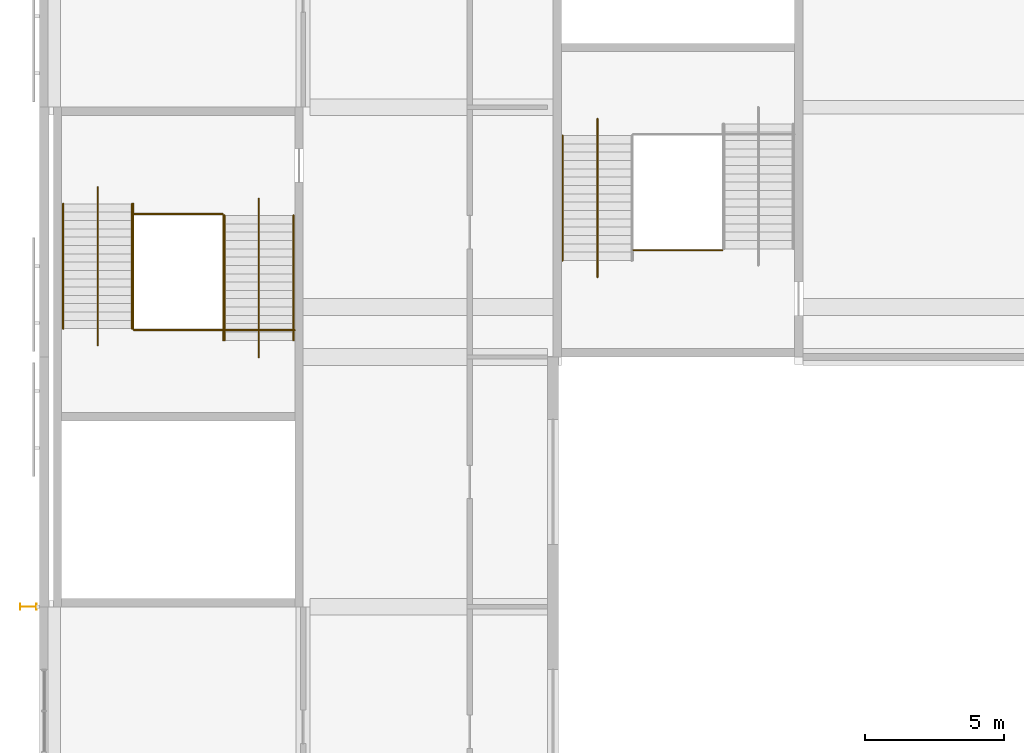
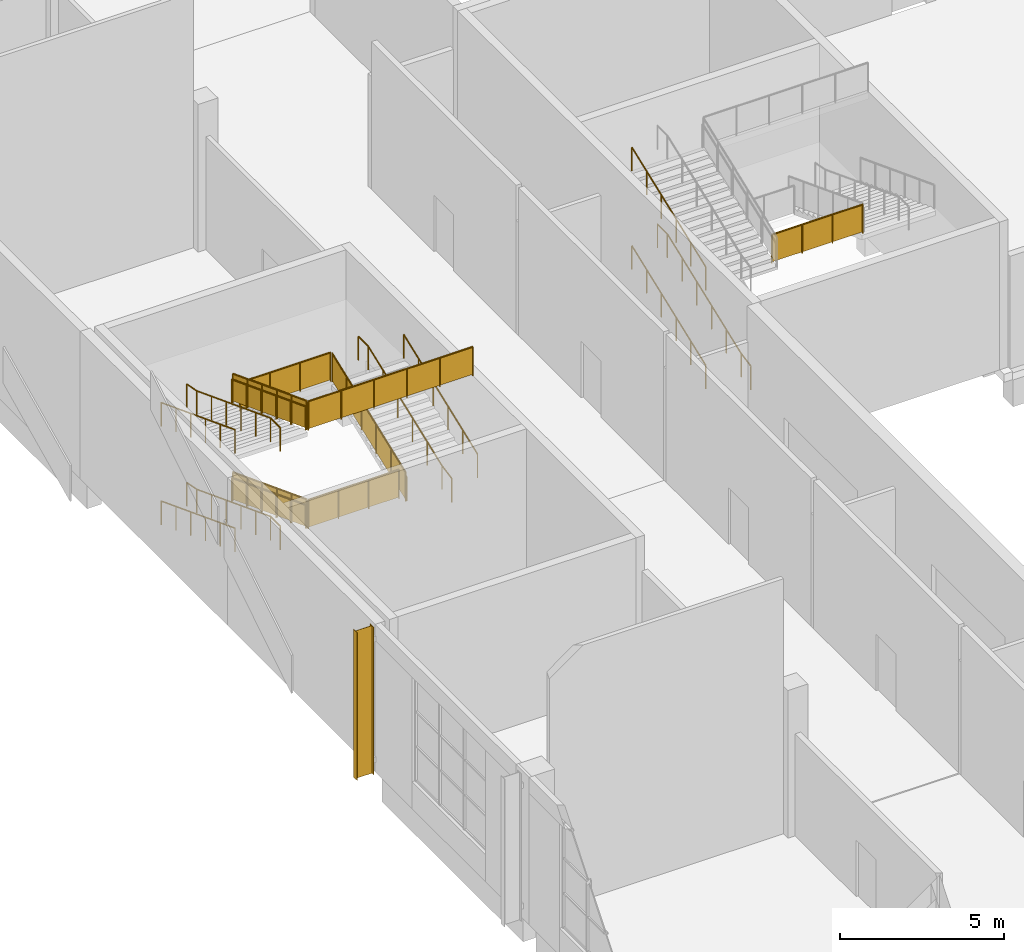
# One storey, part 69 of 84: 19 railings, 1 shading device.
"""IFC4 building model written with IfcOpenShell, lengths in metres."""

from ifc_helpers import new_model, si_unit, direction, frame, origin, origin_2d, place, context, subcontext, project, spatial, polyline, circle, i_section, outline, extrude, material, material_profile, profile_set, type_object, element, save


model = new_model("IFC4")

# Units and contexts
model_context = context("Model", 3, precision=1e-05, world=origin(), true_north=direction((0.0, 1.0)))
body_context = subcontext(model_context, "Body", "Model", "MODEL_VIEW")
ifc_project = project(units=[si_unit("LENGTHUNIT", "METRE"), si_unit("AREAUNIT", "SQUARE_METRE"), si_unit("VOLUMEUNIT", "CUBIC_METRE"), si_unit("PLANEANGLEUNIT", "RADIAN"), si_unit("MASSUNIT", "GRAM", prefix="KILO")], contexts=[model_context])

# Site, building, storey
site_placement = place(None, origin())
site = spatial("IfcSite", under=ifc_project, at=site_placement, CompositionType="ELEMENT")
building_placement = place(site_placement, origin())
building = spatial("IfcBuilding", under=site, at=building_placement, Name="Silverbay Arena", CompositionType="ELEMENT")
storey_placement = place(building_placement, frame((0.0, 0.0, 28.0)))
storey = spatial("IfcBuildingStorey", under=building, at=storey_placement, Name="L04", CompositionType="ELEMENT", Elevation=28.0)

# Railings
ifc_material_1 = material(Name="Stainless steel", Category="steel")
railing_type_1 = type_object("IfcRailingType", Name="Stair guard 1100", PredefinedType="GUARDRAIL", material=ifc_material_1)
railing_1_placement = place(storey_placement, frame((56.875, 104.5205078125, 0.114501953125)))
element("IfcRailing", 1, at=railing_1_placement, inside=storey, type_object=railing_type_1, Name="Stair ST-W2 L04 to L05 flight 1 guard left", PredefinedType="GUARDRAIL", context=body_context, shape_type="SweptSolid", body=[
    extrude(circle(Radius=0.02392578125, at=origin_2d()), frame((0.0, 0.0, 1.076171875), z_axis=(0.0, -0.93417907455, 0.356804507641), x_axis=(1.0, 0.0, 0.0)), (0.0, 0.0, 1.0), 4.817138671875),
    extrude(outline(polyline([(-0.008056640625, 0.046875), (0.907958984375, 0.396728515625), (0.907958984375, 1.39990234375), (-0.008056640625, 1.050048828125), (-0.008056640625, 0.046875)])), frame((0.0029296875, 0.0, 0.0), z_axis=(-1.0, 0.0, 0.0), x_axis=(0.0, -1.0, 0.0)), (0.0, 0.0, 1.0), 0.006103515625),
    extrude(outline(polyline([(-0.008056640625, 0.390625), (0.907958984375, 0.740478515625), (0.907958984375, 1.74365234375), (-0.008056640625, 1.393798828125), (-0.008056640625, 0.390625)])), frame((0.0029296875, -0.89990234375, 0.0), z_axis=(-1.0, 0.0, 0.0), x_axis=(0.0, -1.0, 0.0)), (0.0, 0.0, 1.0), 0.006103515625),
    extrude(outline(polyline([(-0.008056640625, 0.734375), (0.907958984375, 1.084228515625), (0.907958984375, 2.08740234375), (-0.008056640625, 1.737548828125), (-0.008056640625, 0.734375)])), frame((0.0029296875, -1.800048828125, 0.0), z_axis=(-1.0, 0.0, 0.0), x_axis=(0.0, -1.0, 0.0)), (0.0, 0.0, 1.0), 0.006103515625),
    extrude(outline(polyline([(-0.008056640625, 1.078125), (0.907958984375, 1.427978515625), (0.907958984375, 2.43115234375), (-0.008056640625, 2.081298828125), (-0.008056640625, 1.078125)])), frame((0.0029296875, -2.699951171875, 0.0), z_axis=(-1.0, 0.0, 0.0), x_axis=(0.0, -1.0, 0.0)), (0.0, 0.0, 1.0), 0.006103515625),
    extrude(outline(polyline([(-0.008056640625, 1.421875), (0.907958984375, 1.771728515625), (0.907958984375, 2.77490234375), (-0.008056640625, 2.425048828125), (-0.008056640625, 1.421875)])), frame((0.0029296875, -3.60009765625, 0.0), z_axis=(-1.0, 0.0, 0.0), x_axis=(0.0, -1.0, 0.0)), (0.0, 0.0, 1.0), 0.006103515625),
    extrude(circle(Radius=0.02099609375, at=origin_2d()), origin(), (0.0, 0.0, 1.0), 1.052001953125),
    extrude(circle(Radius=0.02099609375, at=origin_2d()), frame((0.0, -0.89990234375, 0.34375)), (0.0, 0.0, 1.0), 1.052001953125),
    extrude(circle(Radius=0.02099609375, at=origin_2d()), frame((0.0, -1.800048828125, 0.6875)), (0.0, 0.0, 1.0), 1.052001953125),
    extrude(circle(Radius=0.02099609375, at=origin_2d()), frame((0.0, -2.699951171875, 1.03125)), (0.0, 0.0, 1.0), 1.052001953125),
    extrude(circle(Radius=0.02099609375, at=origin_2d()), frame((0.0, -3.60009765625, 1.375)), (0.0, 0.0, 1.0), 1.052001953125),
    extrude(circle(Radius=0.02099609375, at=origin_2d()), frame((0.0, -4.5, 1.71875)), (0.0, 0.0, 1.0), 1.052001953125),
])
railing_2_placement = place(storey_placement, frame((60.125, 99.60009765625, 1.947998046875)))
element("IfcRailing", 2, at=railing_2_placement, inside=storey, type_object=railing_type_1, Name="Stair ST-W2 L04 to L05 flight 2 guard right", PredefinedType="GUARDRAIL", context=body_context, shape_type="SweptSolid", body=[
    extrude(circle(Radius=0.02392578125, at=origin_2d()), frame((0.0, 0.0, 1.076171875), z_axis=(0.0, 0.93417907455, 0.356804507641), x_axis=(-1.0, 0.0, 0.0)), (0.0, 0.0, 1.0), 4.817138671875),
    extrude(outline(polyline([(-0.008056640625, 0.046875), (0.907958984375, 0.396728515625), (0.907958984375, 1.39990234375), (-0.008056640625, 1.050048828125), (-0.008056640625, 0.046875)])), frame((-0.0029296875, 0.0, 0.0), z_axis=(1.0, 0.0, 0.0), x_axis=(0.0, 1.0, 0.0)), (0.0, 0.0, 1.0), 0.006103515625),
    extrude(outline(polyline([(-0.008056640625, 0.390625), (0.907958984375, 0.740478515625), (0.907958984375, 1.74365234375), (-0.008056640625, 1.393798828125), (-0.008056640625, 0.390625)])), frame((-0.0029296875, 0.89990234375, 0.0), z_axis=(1.0, 0.0, 0.0), x_axis=(0.0, 1.0, 0.0)), (0.0, 0.0, 1.0), 0.006103515625),
    extrude(outline(polyline([(-0.008056640625, 0.734375), (0.907958984375, 1.084228515625), (0.907958984375, 2.08740234375), (-0.008056640625, 1.737548828125), (-0.008056640625, 0.734375)])), frame((-0.0029296875, 1.800048828125, 0.0), z_axis=(1.0, 0.0, 0.0), x_axis=(0.0, 1.0, 0.0)), (0.0, 0.0, 1.0), 0.006103515625),
    extrude(outline(polyline([(-0.008056640625, 1.078125), (0.907958984375, 1.427978515625), (0.907958984375, 2.43115234375), (-0.008056640625, 2.081298828125), (-0.008056640625, 1.078125)])), frame((-0.0029296875, 2.699951171875, 0.0), z_axis=(1.0, 0.0, 0.0), x_axis=(0.0, 1.0, 0.0)), (0.0, 0.0, 1.0), 0.006103515625),
    extrude(outline(polyline([(-0.008056640625, 1.421875), (0.907958984375, 1.771728515625), (0.907958984375, 2.77490234375), (-0.008056640625, 2.425048828125), (-0.008056640625, 1.421875)])), frame((-0.0029296875, 3.60009765625, 0.0), z_axis=(1.0, 0.0, 0.0), x_axis=(0.0, 1.0, 0.0)), (0.0, 0.0, 1.0), 0.006103515625),
    extrude(circle(Radius=0.02099609375, at=origin_2d()), origin(), (0.0, 0.0, 1.0), 1.052001953125),
    extrude(circle(Radius=0.02099609375, at=origin_2d()), frame((0.0, 0.89990234375, 0.34375)), (0.0, 0.0, 1.0), 1.052001953125),
    extrude(circle(Radius=0.02099609375, at=origin_2d()), frame((0.0, 1.800048828125, 0.6875)), (0.0, 0.0, 1.0), 1.052001953125),
    extrude(circle(Radius=0.02099609375, at=origin_2d()), frame((0.0, 2.699951171875, 1.03125)), (0.0, 0.0, 1.0), 1.052001953125),
    extrude(circle(Radius=0.02099609375, at=origin_2d()), frame((0.0, 3.60009765625, 1.375)), (0.0, 0.0, 1.0), 1.052001953125),
    extrude(circle(Radius=0.02099609375, at=origin_2d()), frame((0.0, 4.5, 1.71875)), (0.0, 0.0, 1.0), 1.052001953125),
])
railing_3_placement = place(storey_placement, frame((56.875, 104.5205078125, 3.78125)))
element("IfcRailing", 3, at=railing_3_placement, inside=storey, type_object=railing_type_1, Name="Stair ST-W2 L04 to L05 flight 3 guard left", PredefinedType="GUARDRAIL", context=body_context, shape_type="SweptSolid", body=[
    extrude(circle(Radius=0.02392578125, at=origin_2d()), frame((0.0, 0.0, 1.076171875), z_axis=(0.0, -0.93417907455, 0.356804507641), x_axis=(1.0, 0.0, 0.0)), (0.0, 0.0, 1.0), 4.817138671875),
    extrude(outline(polyline([(-0.008056640625, 0.046875), (0.907958984375, 0.396728515625), (0.907958984375, 1.39990234375), (-0.008056640625, 1.050048828125), (-0.008056640625, 0.046875)])), frame((0.0029296875, 0.0, 0.0), z_axis=(-1.0, 0.0, 0.0), x_axis=(0.0, -1.0, 0.0)), (0.0, 0.0, 1.0), 0.006103515625),
    extrude(outline(polyline([(-0.008056640625, 0.390625), (0.907958984375, 0.740478515625), (0.907958984375, 1.74365234375), (-0.008056640625, 1.393798828125), (-0.008056640625, 0.390625)])), frame((0.0029296875, -0.89990234375, 0.0), z_axis=(-1.0, 0.0, 0.0), x_axis=(0.0, -1.0, 0.0)), (0.0, 0.0, 1.0), 0.006103515625),
    extrude(outline(polyline([(-0.008056640625, 0.734375), (0.907958984375, 1.084228515625), (0.907958984375, 2.08740234375), (-0.008056640625, 1.737548828125), (-0.008056640625, 0.734375)])), frame((0.0029296875, -1.800048828125, 0.0), z_axis=(-1.0, 0.0, 0.0), x_axis=(0.0, -1.0, 0.0)), (0.0, 0.0, 1.0), 0.006103515625),
    extrude(outline(polyline([(-0.008056640625, 1.078125), (0.907958984375, 1.427978515625), (0.907958984375, 2.43115234375), (-0.008056640625, 2.081298828125), (-0.008056640625, 1.078125)])), frame((0.0029296875, -2.699951171875, 0.0), z_axis=(-1.0, 0.0, 0.0), x_axis=(0.0, -1.0, 0.0)), (0.0, 0.0, 1.0), 0.006103515625),
    extrude(outline(polyline([(-0.008056640625, 1.421875), (0.907958984375, 1.771728515625), (0.907958984375, 2.77490234375), (-0.008056640625, 2.425048828125), (-0.008056640625, 1.421875)])), frame((0.0029296875, -3.60009765625, 0.0), z_axis=(-1.0, 0.0, 0.0), x_axis=(0.0, -1.0, 0.0)), (0.0, 0.0, 1.0), 0.006103515625),
    extrude(circle(Radius=0.02099609375, at=origin_2d()), origin(), (0.0, 0.0, 1.0), 1.052001953125),
    extrude(circle(Radius=0.02099609375, at=origin_2d()), frame((0.0, -0.89990234375, 0.34375)), (0.0, 0.0, 1.0), 1.052001953125),
    extrude(circle(Radius=0.02099609375, at=origin_2d()), frame((0.0, -1.800048828125, 0.6875)), (0.0, 0.0, 1.0), 1.052001953125),
    extrude(circle(Radius=0.02099609375, at=origin_2d()), frame((0.0, -2.699951171875, 1.03125)), (0.0, 0.0, 1.0), 1.052001953125),
    extrude(circle(Radius=0.02099609375, at=origin_2d()), frame((0.0, -3.60009765625, 1.375)), (0.0, 0.0, 1.0), 1.052001953125),
    extrude(circle(Radius=0.02099609375, at=origin_2d()), frame((0.0, -4.5, 1.71875)), (0.0, 0.0, 1.0), 1.052001953125),
])
for number, where, name in (
    (4, (60.10009765625, 99.970458984375, 1.833251953125), "Stair ST-W2 L04 to L05 landing 1 guard"),
    (5, (60.10009765625, 104.14990234375, 3.666748046875), "Stair ST-W2 L04 to L05 landing 2 guard"),
):
    element("IfcRailing", number, at=place(storey_placement, frame(where)), inside=storey, type_object=railing_type_1, Name=name, PredefinedType="GUARDRAIL", context=body_context, shape_type="SweptSolid", body=[
        extrude(circle(Radius=0.02392578125, at=origin_2d()), frame((0.0, 0.0, 1.076171875), z_axis=(-1.0, 0.0, 0.0), x_axis=(0.0, -1.0, 0.0)), (0.0, 0.0, 1.0), 3.2001953125),
        extrude(outline(polyline([(-0.008056640625, 0.050048828125), (1.07470703125, 0.050048828125), (1.07470703125, 1.052978515625), (-0.008056640625, 1.052978515625), (-0.008056640625, 0.050048828125)])), frame((0.0, -0.0029296875, 0.0), z_axis=(0.0, 1.0, 0.0), x_axis=(-1.0, 0.0, 0.0)), (0.0, 0.0, 1.0), 0.006103515625),
        extrude(outline(polyline([(-0.008056640625, 0.050048828125), (1.07470703125, 0.050048828125), (1.07470703125, 1.052978515625), (-0.008056640625, 1.052978515625), (-0.008056640625, 0.050048828125)])), frame((-1.066650390625, -0.0029296875, 0.0), z_axis=(0.0, 1.0, 0.0), x_axis=(-1.0, 0.0, 0.0)), (0.0, 0.0, 1.0), 0.006103515625),
        extrude(outline(polyline([(-0.008056640625, 0.050048828125), (1.07470703125, 0.050048828125), (1.07470703125, 1.052978515625), (-0.008056640625, 1.052978515625), (-0.008056640625, 0.050048828125)])), frame((-2.133544921875, -0.0029296875, 0.0), z_axis=(0.0, 1.0, 0.0), x_axis=(-1.0, 0.0, 0.0)), (0.0, 0.0, 1.0), 0.006103515625),
        extrude(circle(Radius=0.02099609375, at=origin_2d()), origin(), (0.0, 0.0, 1.0), 1.052001953125),
        extrude(circle(Radius=0.02099609375, at=origin_2d()), frame((-1.066650390625, 0.0, 0.0)), (0.0, 0.0, 1.0), 1.052001953125),
        extrude(circle(Radius=0.02099609375, at=origin_2d()), frame((-2.133544921875, 0.0, 0.0)), (0.0, 0.0, 1.0), 1.052001953125),
        extrude(circle(Radius=0.02099609375, at=origin_2d()), frame((-3.2001953125, 0.0, 0.0)), (0.0, 0.0, 1.0), 1.052001953125),
    ])
railing_4_placement = place(storey_placement, frame((56.89990234375, 99.970458984375, 5.5)))
element("IfcRailing", 6, at=railing_4_placement, inside=storey, type_object=railing_type_1, Name="Stair ST-W2 L04 to L05 landing 3 guard", PredefinedType="GUARDRAIL", context=body_context, shape_type="SweptSolid", body=[
    extrude(circle(Radius=0.02392578125, at=origin_2d()), frame((0.0, 0.0, 1.076171875), z_axis=(1.0, 0.0, 0.0), x_axis=(0.0, 1.0, 0.0)), (0.0, 0.0, 1.0), 5.800048828125),
    extrude(outline(polyline([(-0.008056640625, 0.050048828125), (1.16796875, 0.050048828125), (1.16796875, 1.052978515625), (-0.008056640625, 1.052978515625), (-0.008056640625, 0.050048828125)])), frame((0.0, 0.0029296875, 0.0), z_axis=(0.0, -1.0, 0.0), x_axis=(1.0, 0.0, 0.0)), (0.0, 0.0, 1.0), 0.006103515625),
    extrude(outline(polyline([(-0.008056640625, 0.050048828125), (1.16796875, 0.050048828125), (1.16796875, 1.052978515625), (-0.008056640625, 1.052978515625), (-0.008056640625, 0.050048828125)])), frame((1.159912109375, 0.0029296875, 0.0), z_axis=(0.0, -1.0, 0.0), x_axis=(1.0, 0.0, 0.0)), (0.0, 0.0, 1.0), 0.006103515625),
    extrude(outline(polyline([(-0.008056640625, 0.050048828125), (1.16796875, 0.050048828125), (1.16796875, 1.052978515625), (-0.008056640625, 1.052978515625), (-0.008056640625, 0.050048828125)])), frame((2.320068359375, 0.0029296875, 0.0), z_axis=(0.0, -1.0, 0.0), x_axis=(1.0, 0.0, 0.0)), (0.0, 0.0, 1.0), 0.006103515625),
    extrude(outline(polyline([(-0.008056640625, 0.050048828125), (1.16796875, 0.050048828125), (1.16796875, 1.052978515625), (-0.008056640625, 1.052978515625), (-0.008056640625, 0.050048828125)])), frame((3.47998046875, 0.0029296875, 0.0), z_axis=(0.0, -1.0, 0.0), x_axis=(1.0, 0.0, 0.0)), (0.0, 0.0, 1.0), 0.006103515625),
    extrude(outline(polyline([(-0.008056640625, 0.050048828125), (1.16796875, 0.050048828125), (1.16796875, 1.052978515625), (-0.008056640625, 1.052978515625), (-0.008056640625, 0.050048828125)])), frame((4.64013671875, 0.0029296875, 0.0), z_axis=(0.0, -1.0, 0.0), x_axis=(1.0, 0.0, 0.0)), (0.0, 0.0, 1.0), 0.006103515625),
    extrude(circle(Radius=0.02099609375, at=origin_2d()), origin(), (0.0, 0.0, 1.0), 1.052001953125),
    extrude(circle(Radius=0.02099609375, at=origin_2d()), frame((1.159912109375, 0.0, 0.0)), (0.0, 0.0, 1.0), 1.052001953125),
    extrude(circle(Radius=0.02099609375, at=origin_2d()), frame((2.320068359375, 0.0, 0.0)), (0.0, 0.0, 1.0), 1.052001953125),
    extrude(circle(Radius=0.02099609375, at=origin_2d()), frame((3.47998046875, 0.0, 0.0)), (0.0, 0.0, 1.0), 1.052001953125),
    extrude(circle(Radius=0.02099609375, at=origin_2d()), frame((4.64013671875, 0.0, 0.0)), (0.0, 0.0, 1.0), 1.052001953125),
    extrude(circle(Radius=0.02099609375, at=origin_2d()), frame((5.800048828125, 0.0, 0.0)), (0.0, 0.0, 1.0), 1.052001953125),
])
railing_5_placement = place(storey_placement, frame((78.10009765625, 102.85009765625, 3.666748046875)))
element("IfcRailing", 7, at=railing_5_placement, inside=storey, type_object=railing_type_1, Name="Stair ST-NW2 L04 to L05 landing 2 guard", PredefinedType="GUARDRAIL", context=body_context, shape_type="SweptSolid", body=[
    extrude(circle(Radius=0.02392578125, at=origin_2d()), frame((0.0, 0.0, 1.076171875), z_axis=(-1.0, 0.0, 0.0), x_axis=(0.0, -1.0, 0.0)), (0.0, 0.0, 1.0), 3.2001953125),
    extrude(outline(polyline([(-0.008056640625, 0.050048828125), (1.07470703125, 0.050048828125), (1.07470703125, 1.052978515625), (-0.008056640625, 1.052978515625), (-0.008056640625, 0.050048828125)])), frame((0.0, -0.0029296875, 0.0), z_axis=(0.0, 1.0, 0.0), x_axis=(-1.0, 0.0, 0.0)), (0.0, 0.0, 1.0), 0.006103515625),
    extrude(outline(polyline([(-0.008056640625, 0.050048828125), (1.07470703125, 0.050048828125), (1.07470703125, 1.052978515625), (-0.008056640625, 1.052978515625), (-0.008056640625, 0.050048828125)])), frame((-1.066650390625, -0.0029296875, 0.0), z_axis=(0.0, 1.0, 0.0), x_axis=(-1.0, 0.0, 0.0)), (0.0, 0.0, 1.0), 0.006103515625),
    extrude(outline(polyline([(-0.008056640625, 0.050048828125), (1.07470703125, 0.050048828125), (1.07470703125, 1.052978515625), (-0.008056640625, 1.052978515625), (-0.008056640625, 0.050048828125)])), frame((-2.133544921875, -0.0029296875, 0.0), z_axis=(0.0, 1.0, 0.0), x_axis=(-1.0, 0.0, 0.0)), (0.0, 0.0, 1.0), 0.006103515625),
    extrude(circle(Radius=0.02099609375, at=origin_2d()), origin(), (0.0, 0.0, 1.0), 1.052001953125),
    extrude(circle(Radius=0.02099609375, at=origin_2d()), frame((-1.066650390625, 0.0, 0.0)), (0.0, 0.0, 1.0), 1.052001953125),
    extrude(circle(Radius=0.02099609375, at=origin_2d()), frame((-2.133544921875, 0.0, 0.0)), (0.0, 0.0, 1.0), 1.052001953125),
    extrude(circle(Radius=0.02099609375, at=origin_2d()), frame((-3.2001953125, 0.0, 0.0)), (0.0, 0.0, 1.0), 1.052001953125),
])
ifc_material_2 = material(Name="Stainless steel", Category="steel")
railing_type_2 = type_object("IfcRailingType", Name="Stair handrail 900", PredefinedType="HANDRAIL", material=ifc_material_2)
for number, where, name in (
    (8, (56.8359375, 104.5205078125, 0.114501953125), "Stair ST-W2 L04 to L05 flight 1 handrail left"),
    (9, (54.35009765625, 104.5205078125, 0.114501953125), "Stair ST-W2 L04 to L05 flight 1 handrail right"),
):
    element("IfcRailing", number, at=place(storey_placement, frame(where)), inside=storey, type_object=railing_type_2, Name=name, PredefinedType="HANDRAIL", context=body_context, shape_type="SweptSolid", body=[
        extrude(circle(Radius=0.02392578125, at=origin_2d()), frame((0.0, 0.0, 0.8759765625), z_axis=(0.0, -0.93417907455, 0.356804507641), x_axis=(1.0, 0.0, 0.0)), (0.0, 0.0, 1.0), 4.817138671875),
        extrude(circle(Radius=0.02099609375, at=origin_2d()), origin(), (0.0, 0.0, 1.0), 0.851806640625),
        extrude(circle(Radius=0.02099609375, at=origin_2d()), frame((0.0, -0.89990234375, 0.34375)), (0.0, 0.0, 1.0), 0.851806640625),
        extrude(circle(Radius=0.02099609375, at=origin_2d()), frame((0.0, -1.800048828125, 0.6875)), (0.0, 0.0, 1.0), 0.851806640625),
        extrude(circle(Radius=0.02099609375, at=origin_2d()), frame((0.0, -2.699951171875, 1.03125)), (0.0, 0.0, 1.0), 0.851806640625),
        extrude(circle(Radius=0.02099609375, at=origin_2d()), frame((0.0, -3.60009765625, 1.375)), (0.0, 0.0, 1.0), 0.851806640625),
        extrude(circle(Radius=0.02099609375, at=origin_2d()), frame((0.0, -4.5, 1.71875)), (0.0, 0.0, 1.0), 0.851806640625),
    ])
railing_6_placement = place(storey_placement, frame((55.60009765625, 105.120361328125, 0.0)))
element("IfcRailing", 10, at=railing_6_placement, inside=storey, type_object=railing_type_2, Name="Stair ST-W2 L04 to L05 flight 1 central handrail", PredefinedType="HANDRAIL", context=body_context, shape_type="SweptSolid", body=[
    extrude(circle(Radius=0.02392578125, at=origin_2d()), frame((0.0, 0.0, 0.8759765625), z_axis=(0.0, -0.982265007716, 0.187497878966), x_axis=(1.0, 0.0, 0.0)), (0.0, 0.0, 1.0), 0.610595703125),
    extrude(circle(Radius=0.02392578125, at=origin_2d()), frame((0.0, -0.599853515625, 0.990234375), z_axis=(0.0, -0.93417907455, 0.356804507641), x_axis=(1.0, 0.0, 0.0)), (0.0, 0.0, 1.0), 4.817138671875),
    extrude(circle(Radius=0.02392578125, at=origin_2d()), frame((0.0, -5.099853515625, 2.708984375), z_axis=(0.0, -1.0, 0.0), x_axis=(1.0, 0.0, 0.0)), (0.0, 0.0, 1.0), 0.60009765625),
    extrude(circle(Radius=0.02099609375, at=origin_2d()), origin(), (0.0, 0.0, 1.0), 0.851806640625),
    extrude(circle(Radius=0.02099609375, at=origin_2d()), frame((0.0, -0.599853515625, 0.114501953125)), (0.0, 0.0, 1.0), 0.851806640625),
    extrude(circle(Radius=0.02099609375, at=origin_2d()), frame((0.0, -1.499755859375, 0.458251953125)), (0.0, 0.0, 1.0), 0.851806640625),
    extrude(circle(Radius=0.02099609375, at=origin_2d()), frame((0.0, -2.39990234375, 0.802001953125)), (0.0, 0.0, 1.0), 0.851806640625),
    extrude(circle(Radius=0.02099609375, at=origin_2d()), frame((0.0, -3.2998046875, 1.145751953125)), (0.0, 0.0, 1.0), 0.851806640625),
    extrude(circle(Radius=0.02099609375, at=origin_2d()), frame((0.0, -4.199951171875, 1.489501953125)), (0.0, 0.0, 1.0), 0.851806640625),
    extrude(circle(Radius=0.02099609375, at=origin_2d()), frame((0.0, -5.099853515625, 1.833251953125)), (0.0, 0.0, 1.0), 0.851806640625),
    extrude(circle(Radius=0.02099609375, at=origin_2d()), frame((0.0, -5.699951171875, 1.833251953125)), (0.0, 0.0, 1.0), 0.851806640625),
])
for number, where, name in (
    (11, (62.64990234375, 99.60009765625, 1.947998046875), "Stair ST-W2 L04 to L05 flight 2 handrail left"),
    (12, (60.1640625, 99.60009765625, 1.947998046875), "Stair ST-W2 L04 to L05 flight 2 handrail right"),
):
    element("IfcRailing", number, at=place(storey_placement, frame(where)), inside=storey, type_object=railing_type_2, Name=name, PredefinedType="HANDRAIL", context=body_context, shape_type="SweptSolid", body=[
        extrude(circle(Radius=0.02392578125, at=origin_2d()), frame((0.0, 0.0, 0.8759765625), z_axis=(0.0, 0.93417907455, 0.356804507641), x_axis=(-1.0, 0.0, 0.0)), (0.0, 0.0, 1.0), 4.817138671875),
        extrude(circle(Radius=0.02099609375, at=origin_2d()), origin(), (0.0, 0.0, 1.0), 0.851806640625),
        extrude(circle(Radius=0.02099609375, at=origin_2d()), frame((0.0, 0.89990234375, 0.34375)), (0.0, 0.0, 1.0), 0.851806640625),
        extrude(circle(Radius=0.02099609375, at=origin_2d()), frame((0.0, 1.800048828125, 0.6875)), (0.0, 0.0, 1.0), 0.851806640625),
        extrude(circle(Radius=0.02099609375, at=origin_2d()), frame((0.0, 2.699951171875, 1.03125)), (0.0, 0.0, 1.0), 0.851806640625),
        extrude(circle(Radius=0.02099609375, at=origin_2d()), frame((0.0, 3.60009765625, 1.375)), (0.0, 0.0, 1.0), 0.851806640625),
        extrude(circle(Radius=0.02099609375, at=origin_2d()), frame((0.0, 4.5, 1.71875)), (0.0, 0.0, 1.0), 0.851806640625),
    ])
railing_7_placement = place(storey_placement, frame((61.39990234375, 99.0, 1.833251953125)))
element("IfcRailing", 13, at=railing_7_placement, inside=storey, type_object=railing_type_2, Name="Stair ST-W2 L04 to L05 flight 2 central handrail", PredefinedType="HANDRAIL", context=body_context, shape_type="SweptSolid", body=[
    extrude(circle(Radius=0.02392578125, at=origin_2d()), frame((0.0, 0.0, 0.8759765625), z_axis=(0.0, 0.982205411617, 0.1878098224), x_axis=(-1.0, 0.0, 0.0)), (0.0, 0.0, 1.0), 0.611083984375),
    extrude(circle(Radius=0.02392578125, at=origin_2d()), frame((0.0, 0.60009765625, 0.99072265625), z_axis=(0.0, 0.93417907455, 0.356804507641), x_axis=(-1.0, 0.0, 0.0)), (0.0, 0.0, 1.0), 4.817138671875),
    extrude(circle(Radius=0.02392578125, at=origin_2d()), frame((0.0, 5.10009765625, 2.70947265625), z_axis=(0.0, 1.0, 0.0), x_axis=(-1.0, 0.0, 0.0)), (0.0, 0.0, 1.0), 0.599853515625),
    extrude(circle(Radius=0.02099609375, at=origin_2d()), origin(), (0.0, 0.0, 1.0), 0.851806640625),
    extrude(circle(Radius=0.02099609375, at=origin_2d()), frame((0.0, 0.60009765625, 0.11474609375)), (0.0, 0.0, 1.0), 0.851806640625),
    extrude(circle(Radius=0.02099609375, at=origin_2d()), frame((0.0, 1.5, 0.45849609375)), (0.0, 0.0, 1.0), 0.851806640625),
    extrude(circle(Radius=0.02099609375, at=origin_2d()), frame((0.0, 2.400146484375, 0.80224609375)), (0.0, 0.0, 1.0), 0.851806640625),
    extrude(circle(Radius=0.02099609375, at=origin_2d()), frame((0.0, 3.300048828125, 1.14599609375)), (0.0, 0.0, 1.0), 0.851806640625),
    extrude(circle(Radius=0.02099609375, at=origin_2d()), frame((0.0, 4.2001953125, 1.48974609375)), (0.0, 0.0, 1.0), 0.851806640625),
    extrude(circle(Radius=0.02099609375, at=origin_2d()), frame((0.0, 5.10009765625, 1.83349609375)), (0.0, 0.0, 1.0), 0.851806640625),
    extrude(circle(Radius=0.02099609375, at=origin_2d()), frame((0.0, 5.699951171875, 1.83349609375)), (0.0, 0.0, 1.0), 0.851806640625),
])
for number, where, name in (
    (14, (56.8359375, 104.5205078125, 3.78125), "Stair ST-W2 L04 to L05 flight 3 handrail left"),
    (15, (54.35009765625, 104.5205078125, 3.78125), "Stair ST-W2 L04 to L05 flight 3 handrail right"),
):
    element("IfcRailing", number, at=place(storey_placement, frame(where)), inside=storey, type_object=railing_type_2, Name=name, PredefinedType="HANDRAIL", context=body_context, shape_type="SweptSolid", body=[
        extrude(circle(Radius=0.02392578125, at=origin_2d()), frame((0.0, 0.0, 0.8759765625), z_axis=(0.0, -0.93417907455, 0.356804507641), x_axis=(1.0, 0.0, 0.0)), (0.0, 0.0, 1.0), 4.817138671875),
        extrude(circle(Radius=0.02099609375, at=origin_2d()), origin(), (0.0, 0.0, 1.0), 0.851806640625),
        extrude(circle(Radius=0.02099609375, at=origin_2d()), frame((0.0, -0.89990234375, 0.34375)), (0.0, 0.0, 1.0), 0.851806640625),
        extrude(circle(Radius=0.02099609375, at=origin_2d()), frame((0.0, -1.800048828125, 0.6875)), (0.0, 0.0, 1.0), 0.851806640625),
        extrude(circle(Radius=0.02099609375, at=origin_2d()), frame((0.0, -2.699951171875, 1.03125)), (0.0, 0.0, 1.0), 0.851806640625),
        extrude(circle(Radius=0.02099609375, at=origin_2d()), frame((0.0, -3.60009765625, 1.375)), (0.0, 0.0, 1.0), 0.851806640625),
        extrude(circle(Radius=0.02099609375, at=origin_2d()), frame((0.0, -4.5, 1.71875)), (0.0, 0.0, 1.0), 0.851806640625),
    ])
railing_8_placement = place(storey_placement, frame((55.60009765625, 105.120361328125, 3.666748046875)))
element("IfcRailing", 16, at=railing_8_placement, inside=storey, type_object=railing_type_2, Name="Stair ST-W2 L04 to L05 flight 3 central handrail", PredefinedType="HANDRAIL", context=body_context, shape_type="SweptSolid", body=[
    extrude(circle(Radius=0.02392578125, at=origin_2d()), frame((0.0, 0.0, 0.8759765625), z_axis=(0.0, -0.982265007716, 0.187497878966), x_axis=(1.0, 0.0, 0.0)), (0.0, 0.0, 1.0), 0.610595703125),
    extrude(circle(Radius=0.02392578125, at=origin_2d()), frame((0.0, -0.599853515625, 0.990234375), z_axis=(0.0, -0.93417907455, 0.356804507641), x_axis=(1.0, 0.0, 0.0)), (0.0, 0.0, 1.0), 4.817138671875),
    extrude(circle(Radius=0.02392578125, at=origin_2d()), frame((0.0, -5.099853515625, 2.708984375), z_axis=(0.0, -1.0, 0.0), x_axis=(1.0, 0.0, 0.0)), (0.0, 0.0, 1.0), 0.60009765625),
    extrude(circle(Radius=0.02099609375, at=origin_2d()), origin(), (0.0, 0.0, 1.0), 0.851806640625),
    extrude(circle(Radius=0.02099609375, at=origin_2d()), frame((0.0, -0.599853515625, 0.114501953125)), (0.0, 0.0, 1.0), 0.851806640625),
    extrude(circle(Radius=0.02099609375, at=origin_2d()), frame((0.0, -1.499755859375, 0.458251953125)), (0.0, 0.0, 1.0), 0.851806640625),
    extrude(circle(Radius=0.02099609375, at=origin_2d()), frame((0.0, -2.39990234375, 0.802001953125)), (0.0, 0.0, 1.0), 0.851806640625),
    extrude(circle(Radius=0.02099609375, at=origin_2d()), frame((0.0, -3.2998046875, 1.145751953125)), (0.0, 0.0, 1.0), 0.851806640625),
    extrude(circle(Radius=0.02099609375, at=origin_2d()), frame((0.0, -4.199951171875, 1.489501953125)), (0.0, 0.0, 1.0), 0.851806640625),
    extrude(circle(Radius=0.02099609375, at=origin_2d()), frame((0.0, -5.099853515625, 1.833251953125)), (0.0, 0.0, 1.0), 0.851806640625),
    extrude(circle(Radius=0.02099609375, at=origin_2d()), frame((0.0, -5.699951171875, 1.833251953125)), (0.0, 0.0, 1.0), 0.851806640625),
])
railing_9_placement = place(storey_placement, frame((72.35009765625, 102.4794921875, 0.114501953125)))
element("IfcRailing", 17, at=railing_9_placement, inside=storey, type_object=railing_type_2, Name="Stair ST-NW2 L04 to L05 flight 1 handrail right", PredefinedType="HANDRAIL", context=body_context, shape_type="SweptSolid", body=[
    extrude(circle(Radius=0.02392578125, at=origin_2d()), frame((0.0, 0.0, 0.8759765625), z_axis=(0.0, 0.93417907455, 0.356804507641), x_axis=(-1.0, 0.0, 0.0)), (0.0, 0.0, 1.0), 4.817138671875),
    extrude(circle(Radius=0.02099609375, at=origin_2d()), origin(), (0.0, 0.0, 1.0), 0.851806640625),
    extrude(circle(Radius=0.02099609375, at=origin_2d()), frame((0.0, 0.89990234375, 0.34375)), (0.0, 0.0, 1.0), 0.851806640625),
    extrude(circle(Radius=0.02099609375, at=origin_2d()), frame((0.0, 1.800048828125, 0.6875)), (0.0, 0.0, 1.0), 0.851806640625),
    extrude(circle(Radius=0.02099609375, at=origin_2d()), frame((0.0, 2.699951171875, 1.03125)), (0.0, 0.0, 1.0), 0.851806640625),
    extrude(circle(Radius=0.02099609375, at=origin_2d()), frame((0.0, 3.60009765625, 1.375)), (0.0, 0.0, 1.0), 0.851806640625),
    extrude(circle(Radius=0.02099609375, at=origin_2d()), frame((0.0, 4.5, 1.71875)), (0.0, 0.0, 1.0), 0.851806640625),
])
railing_10_placement = place(storey_placement, frame((73.60009765625, 101.879638671875, 0.0)))
element("IfcRailing", 18, at=railing_10_placement, inside=storey, type_object=railing_type_2, Name="Stair ST-NW2 L04 to L05 flight 1 central handrail", PredefinedType="HANDRAIL", context=body_context, shape_type="SweptSolid", body=[
    extrude(circle(Radius=0.02392578125, at=origin_2d()), frame((0.0, 0.0, 0.8759765625), z_axis=(0.0, 0.982265007716, 0.187497878966), x_axis=(-1.0, 0.0, 0.0)), (0.0, 0.0, 1.0), 0.610595703125),
    extrude(circle(Radius=0.02392578125, at=origin_2d()), frame((0.0, 0.599853515625, 0.990234375), z_axis=(0.0, 0.93417907455, 0.356804507641), x_axis=(-1.0, 0.0, 0.0)), (0.0, 0.0, 1.0), 4.817138671875),
    extrude(circle(Radius=0.02392578125, at=origin_2d()), frame((0.0, 5.099853515625, 2.708984375), z_axis=(0.0, 1.0, 0.0), x_axis=(-1.0, 0.0, 0.0)), (0.0, 0.0, 1.0), 0.60009765625),
    extrude(circle(Radius=0.02099609375, at=origin_2d()), origin(), (0.0, 0.0, 1.0), 0.851806640625),
    extrude(circle(Radius=0.02099609375, at=origin_2d()), frame((0.0, 0.599853515625, 0.114501953125)), (0.0, 0.0, 1.0), 0.851806640625),
    extrude(circle(Radius=0.02099609375, at=origin_2d()), frame((0.0, 1.499755859375, 0.458251953125)), (0.0, 0.0, 1.0), 0.851806640625),
    extrude(circle(Radius=0.02099609375, at=origin_2d()), frame((0.0, 2.39990234375, 0.802001953125)), (0.0, 0.0, 1.0), 0.851806640625),
    extrude(circle(Radius=0.02099609375, at=origin_2d()), frame((0.0, 3.2998046875, 1.145751953125)), (0.0, 0.0, 1.0), 0.851806640625),
    extrude(circle(Radius=0.02099609375, at=origin_2d()), frame((0.0, 4.199951171875, 1.489501953125)), (0.0, 0.0, 1.0), 0.851806640625),
    extrude(circle(Radius=0.02099609375, at=origin_2d()), frame((0.0, 5.099853515625, 1.833251953125)), (0.0, 0.0, 1.0), 0.851806640625),
    extrude(circle(Radius=0.02099609375, at=origin_2d()), frame((0.0, 5.699951171875, 1.833251953125)), (0.0, 0.0, 1.0), 0.851806640625),
])
railing_11_placement = place(storey_placement, frame((72.35009765625, 102.4794921875, 3.78125)))
element("IfcRailing", 19, at=railing_11_placement, inside=storey, type_object=railing_type_2, Name="Stair ST-NW2 L04 to L05 flight 3 handrail right", PredefinedType="HANDRAIL", context=body_context, shape_type="SweptSolid", body=[
    extrude(circle(Radius=0.02392578125, at=origin_2d()), frame((0.0, 0.0, 0.8759765625), z_axis=(0.0, 0.93417907455, 0.356804507641), x_axis=(-1.0, 0.0, 0.0)), (0.0, 0.0, 1.0), 4.817138671875),
    extrude(circle(Radius=0.02099609375, at=origin_2d()), origin(), (0.0, 0.0, 1.0), 0.851806640625),
    extrude(circle(Radius=0.02099609375, at=origin_2d()), frame((0.0, 0.89990234375, 0.34375)), (0.0, 0.0, 1.0), 0.851806640625),
    extrude(circle(Radius=0.02099609375, at=origin_2d()), frame((0.0, 1.800048828125, 0.6875)), (0.0, 0.0, 1.0), 0.851806640625),
    extrude(circle(Radius=0.02099609375, at=origin_2d()), frame((0.0, 2.699951171875, 1.03125)), (0.0, 0.0, 1.0), 0.851806640625),
    extrude(circle(Radius=0.02099609375, at=origin_2d()), frame((0.0, 3.60009765625, 1.375)), (0.0, 0.0, 1.0), 0.851806640625),
    extrude(circle(Radius=0.02099609375, at=origin_2d()), frame((0.0, 4.5, 1.71875)), (0.0, 0.0, 1.0), 0.851806640625),
])

# Shading device
ifc_material_3 = material(Name="Steel S355", Category="steel")
ifc_material_profile = material_profile(ifc_material_3, i_section(OverallWidth=0.2275390625, OverallDepth=0.6025390625, WebThickness=0.010498046875, FlangeThickness=0.014892578125, at=origin_2d()), Name="UB 610x229x101")
ifc_profile_set = profile_set([ifc_material_profile], Name="Steel S355")
shading_device_type = type_object("IfcShadingDeviceType", Name="Steel fin UB 610x229x101", PredefinedType="USERDEFINED", material=ifc_profile_set)
shading_device_placement = place(storey_placement, frame((53.0986328125, 90.0, 0.0), z_axis=(0.0, 0.0, 1.0), x_axis=(0.0, 1.0, 0.0)))
element("IfcShadingDevice", 20, at=shading_device_placement, inside=storey, type_object=shading_device_type, Name="Steel fin W L04 16", ObjectType="FIN", PredefinedType="USERDEFINED", context=body_context, shape_type="SweptSolid", body=[
    extrude(i_section(OverallWidth=0.2275390625, OverallDepth=0.6025390625, WebThickness=0.010498046875, FlangeThickness=0.014892578125, at=origin_2d()), origin(), (0.0, 0.0, 1.0), 5.5),
])

save(model, "model.ifc")
